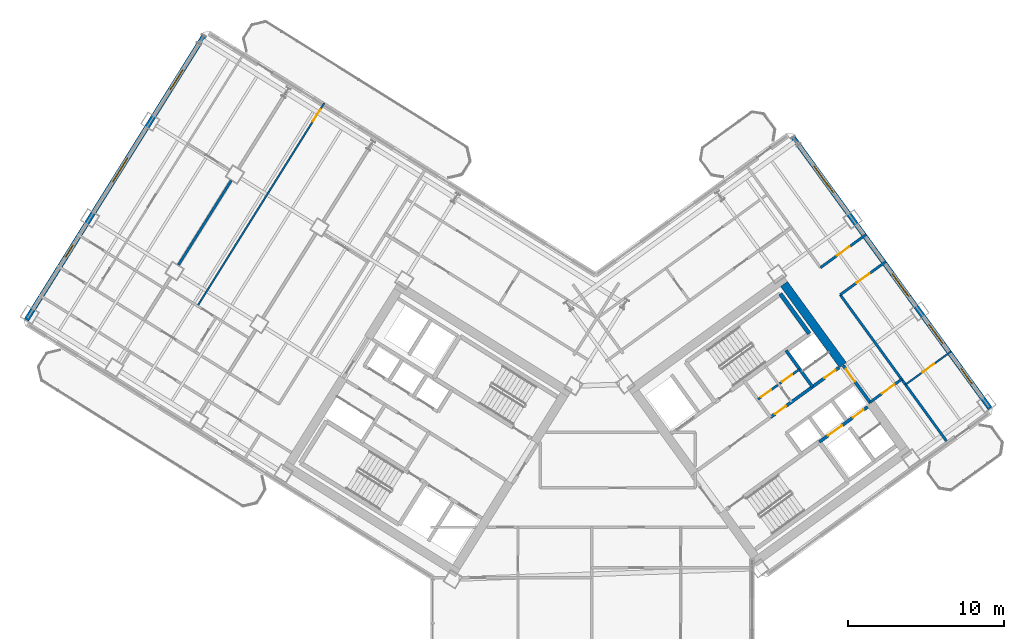
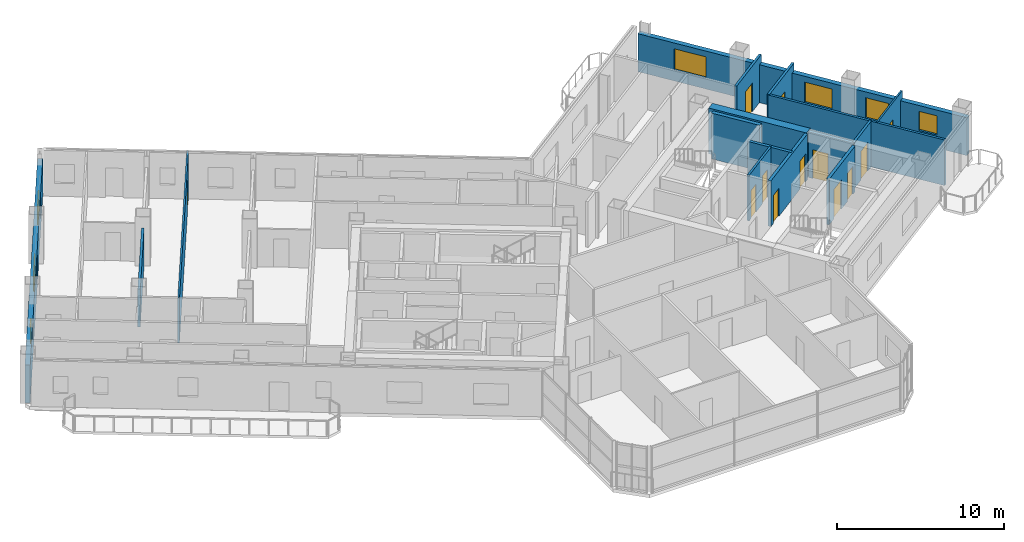
# One storey, part 15 of 21: 16 walls, 12 doors, 7 windows, 19 openings.
"""IFC4 building model written with IfcOpenShell, lengths in metres."""

import ifcopenshell
import ifcopenshell.guid

model = None  # the IFC model being written
_history = None  # IfcOwnerHistory: only IFC2X3 demands one
_inside = {}  # id of a spatial element -> (the spatial element, [elements in it])
_under = {}  # id of a project, library or spatial element -> (it, [spatial elements below it])
_declared = {}  # id of a project -> (the project, [libraries it declares])
_typed = {}  # id of a type object -> (the type object, [elements of that type])
_made_of = {}  # id of a material, layer set ... -> (it, [elements and type objects made of it])


def new_model(schema):
    """Start an empty IFC model of exactly this schema.

    Asked for "IFC4X3", IfcOpenShell would pick the latest addendum, in which some entities
    have other attributes; the version numbers below select the first issue.
    IFC2X3 requires an IfcOwnerHistory on every rooted entity: one is made here for all.
    """
    global model, _history
    if schema == "IFC4X3":
        model = ifcopenshell.file(schema_version=(4, 3, 0, 0))
    else:
        model = ifcopenshell.file(schema=schema)
    _inside.clear()
    _under.clear()
    _declared.clear()
    _typed.clear()
    _made_of.clear()
    _history = None
    if model.schema == "IFC2X3":
        org = make("IfcOrganization", Name="unknown")
        user = make(
            "IfcPersonAndOrganization",
            ThePerson=make("IfcPerson", FamilyName="unknown"),
            TheOrganization=org,
        )
        app = make(
            "IfcApplication",
            ApplicationDeveloper=org,
            Version="unknown",
            ApplicationFullName="unknown",
            ApplicationIdentifier="unknown",
        )
        _history = make(
            "IfcOwnerHistory",
            OwningUser=user,
            OwningApplication=app,
            ChangeAction="ADDED",
            CreationDate=0,
        )
    return model


def make(cls, **values):
    """One entity of the class cls with the attributes given. An attribute that is None is left unset."""
    return model.create_entity(
        cls, **{name: value for name, value in values.items() if value is not None}
    )


def rooted(cls, **values):
    """An entity with a GlobalId (a new one), such as an element, a storey or a relation."""
    return make(cls, GlobalId=ifcopenshell.guid.new(), OwnerHistory=_history, **values)


def si_unit(unit_type, name, prefix=None):
    """IfcSIUnit, for example si_unit("LENGTHUNIT", "METRE", prefix="MILLI")."""
    return make("IfcSIUnit", UnitType=unit_type, Prefix=prefix, Name=name)


def assignment(units):
    """IfcUnitAssignment: the units of a project."""
    return None if units is None else make("IfcUnitAssignment", Units=units)


def point(xyz):
    """IfcCartesianPoint."""
    return None if xyz is None else make("IfcCartesianPoint", Coordinates=xyz)


def direction(xyz):
    """IfcDirection."""
    return None if xyz is None else make("IfcDirection", DirectionRatios=xyz)


def frame(location, z_axis=None, x_axis=None):
    """IfcAxis2Placement3D, a coordinate frame: its origin and axes. An axis left out is left unset."""
    return make(
        "IfcAxis2Placement3D",
        Location=point(location),
        Axis=direction(z_axis),
        RefDirection=direction(x_axis),
    )


def frame_2d(location, x_axis=None):
    """IfcAxis2Placement2D, a coordinate frame in the plane: its origin and x axis."""
    return make(
        "IfcAxis2Placement2D", Location=point(location), RefDirection=direction(x_axis)
    )


def origin():
    """The frame at (0, 0, 0) with its axes left unset."""
    return frame((0.0, 0.0, 0.0))


def place(relative_to, where):
    """IfcLocalPlacement: puts the frame where relative to a parent placement (None: the world)."""
    return make(
        "IfcLocalPlacement", PlacementRelTo=relative_to, RelativePlacement=where
    )


def context(
    kind, dimensions, precision=None, world=None, true_north=None, identifier=None
):
    """IfcGeometricRepresentationContext, for example the 3D "Model" context."""
    return make(
        "IfcGeometricRepresentationContext",
        ContextIdentifier=identifier,
        ContextType=kind,
        CoordinateSpaceDimension=dimensions,
        Precision=precision,
        WorldCoordinateSystem=world,
        TrueNorth=true_north,
    )


def subcontext(parent, identifier, kind, view, scale=None):
    """IfcGeometricRepresentationSubContext, for example "Body" below "Model"."""
    return make(
        "IfcGeometricRepresentationSubContext",
        ContextIdentifier=identifier,
        ContextType=kind,
        ParentContext=parent,
        TargetScale=scale,
        TargetView=view,
    )


def project(units=None, contexts=None):
    """IfcProject with its units and contexts."""
    return rooted(
        "IfcProject",
        Name="project",
        RepresentationContexts=contexts,
        UnitsInContext=assignment(units),
    )


def spatial(cls, under=None, at=None, **own):
    """A site, building, storey or space (cls), placed at a placement, below another one or the project."""
    s = rooted(cls, ObjectPlacement=at, **own)
    if under is not None:
        _under.setdefault(under.id(), (under, []))[1].append(s)
    return s


def profile(cls, at=None, kind="AREA", **sizes):
    """A parametric profile (cls). Its sizes go by their IFC names, for example OverallWidth=200.0."""
    return make(cls, ProfileType=kind, Position=at, **sizes)


def rectangle(**sizes):
    """IfcRectangleProfileDef."""
    return profile("IfcRectangleProfileDef", **sizes)


def extrude(swept, where, along, depth):
    """IfcExtrudedAreaSolid: the profile swept, set in the frame where, extruded along a direction by depth."""
    return make(
        "IfcExtrudedAreaSolid",
        SweptArea=swept,
        Position=where,
        ExtrudedDirection=direction(along),
        Depth=depth,
    )


def shape(context_of_items, identifier, shape_type, items):
    """IfcShapeRepresentation: the items that make up one representation, for example the "Body"."""
    return make(
        "IfcShapeRepresentation",
        ContextOfItems=context_of_items,
        RepresentationIdentifier=identifier,
        RepresentationType=shape_type,
        Items=items,
    )


def source(mapping_origin, context_of_items, identifier, shape_type, items):
    """IfcRepresentationMap: a shape defined once, which mapped items show again and again."""
    return make(
        "IfcRepresentationMap",
        MappingOrigin=mapping_origin,
        MappedRepresentation=shape(context_of_items, identifier, shape_type, items),
    )


def transform(
    local_origin,
    x_axis=None,
    y_axis=None,
    z_axis=None,
    scale=None,
    scale2=None,
    scale3=None,
    uniform=True,
):
    """IfcCartesianTransformationOperator3D, or its non-uniform kind. x_axis, y_axis, z_axis: its Axis1, 2, 3."""
    if uniform:
        return make(
            "IfcCartesianTransformationOperator3D",
            Axis1=direction(x_axis),
            Axis2=direction(y_axis),
            LocalOrigin=point(local_origin),
            Scale=scale,
            Axis3=direction(z_axis),
        )
    return make(
        "IfcCartesianTransformationOperator3DnonUniform",
        Axis1=direction(x_axis),
        Axis2=direction(y_axis),
        LocalOrigin=point(local_origin),
        Scale=scale,
        Axis3=direction(z_axis),
        Scale2=scale2,
        Scale3=scale3,
    )


def mapped(mapping_source, mapping_target):
    """IfcMappedItem: shows the shape of a source again, moved by a transform."""
    return make(
        "IfcMappedItem", MappingSource=mapping_source, MappingTarget=mapping_target
    )


def material(Name=None, Category=None):
    """IfcMaterial."""
    return make("IfcMaterial", Name=Name, Category=Category)


def layer(
    of_material, thickness, ventilated=None, Name=None, Category=None, Priority=None
):
    """IfcMaterialLayer: one layer of a wall or slab, of a material (None: an air gap)."""
    return make(
        "IfcMaterialLayer",
        Material=of_material,
        LayerThickness=thickness,
        IsVentilated=ventilated,
        Name=Name,
        Category=Category,
        Priority=Priority,
    )


def layer_set(layers, Name=None):
    """IfcMaterialLayerSet."""
    return make("IfcMaterialLayerSet", MaterialLayers=layers, LayerSetName=Name)


def made_of(thing, what):
    """Note that an element or type object is made of a material, layer set ...; save() writes the relation."""
    if what is not None:
        _made_of.setdefault(what.id(), (what, []))[1].append(thing)
    return thing


def type_object(cls, material=None, **own):
    """A type object (cls), such as IfcWallType, which elements share."""
    return made_of(rooted(cls, **own), material)


def element(
    cls,
    number,
    at=None,
    inside=None,
    cuts=None,
    type_object=None,
    material=None,
    context=None,
    identifier="Body",
    shape_type=None,
    held_by="IfcProductDefinitionShape",
    body=None,
    shapes=None,
    **own,
):
    """One element of the class cls, such as IfcWall. Its Tag is "e" and its number.

    at: its placement. inside: the storey or other place that contains it. cuts: it is an
    opening in that element (IfcRelVoidsElement). A single representation is given by context,
    identifier, shape_type and body (its items); several are given by shapes. held_by: the class
    of the entity that holds the representations. save() writes the other relations.
    """
    e = rooted(cls, Tag="e%d" % number, ObjectPlacement=at, **own)
    if body is not None:
        shapes = [shape(context, identifier, shape_type, body)]
    if shapes is not None:
        e.Representation = make(held_by, Representations=shapes)
    if inside is not None:
        _inside.setdefault(inside.id(), (inside, []))[1].append(e)
    if cuts is not None:
        rooted(
            "IfcRelVoidsElement", RelatingBuildingElement=cuts, RelatedOpeningElement=e
        )
    if type_object is not None:
        _typed.setdefault(type_object.id(), (type_object, []))[1].append(e)
    return made_of(e, material)


def fill(opening, filler):
    """IfcRelFillsElement: the door or window that sits in an opening."""
    return rooted(
        "IfcRelFillsElement",
        RelatingOpeningElement=opening,
        RelatedBuildingElement=filler,
    )


def aggregate(whole, parts):
    """IfcRelAggregates: a whole, such as a stair, and the parts it consists of."""
    return rooted("IfcRelAggregates", RelatingObject=whole, RelatedObjects=parts)


def save(model, path):
    """Write the relations noted so far, then the file.

    IfcRelAggregates (storeys below a building ...), IfcRelContainedInSpatialStructure (elements
    in a storey), IfcRelDefinesByType, IfcRelAssociatesMaterial and IfcRelDeclares: one each for
    every whole, place, type object, material and project.
    """
    for whole, parts in _under.values():
        aggregate(whole, parts)
    for where, things in _inside.values():
        rooted(
            "IfcRelContainedInSpatialStructure",
            RelatedElements=things,
            RelatingStructure=where,
        )
    for kind, things in _typed.values():
        rooted("IfcRelDefinesByType", RelatedObjects=things, RelatingType=kind)
    for what, things in _made_of.values():
        rooted("IfcRelAssociatesMaterial", RelatedObjects=things, RelatingMaterial=what)
    for by, libraries in _declared.values():
        rooted("IfcRelDeclares", RelatingContext=by, RelatedDefinitions=libraries)
    model.write(path)


model = new_model("IFC4")

# Units and contexts
model_context = context("Model", 3, precision=1e-05, world=origin(), true_north=direction((0.0, 1.0)))
body_context = subcontext(model_context, "Body", "Model", "MODEL_VIEW")
ifc_project = project(units=[si_unit("LENGTHUNIT", "METRE"), si_unit("AREAUNIT", "SQUARE_METRE"), si_unit("VOLUMEUNIT", "CUBIC_METRE"), si_unit("PLANEANGLEUNIT", "RADIAN"), si_unit("MASSUNIT", "GRAM", prefix="KILO")], contexts=[model_context])

# Site, building, storey
site_placement = place(None, origin())
site = spatial("IfcSite", under=ifc_project, at=site_placement, CompositionType="ELEMENT")
building_placement = place(site_placement, origin())
building = spatial("IfcBuilding", under=site, at=building_placement, Name="Tlacorven Tower", CompositionType="ELEMENT")
storey_placement = place(building_placement, frame((0.0, 0.0, 105.300048828125)))
storey = spatial("IfcBuildingStorey", under=building, at=storey_placement, Name="L26", CompositionType="ELEMENT", Elevation=105.300048828125)

# Walls
ifc_material_1 = material(Name="Concrete C60/75", Category="concrete")
ifc_layer_1 = layer(ifc_material_1, 0.550048828125)
ifc_layer_set_1 = layer_set([ifc_layer_1], Name="Concrete C60/75")
wall_type_1 = type_object("IfcWallType", Name="WL-COR-550", PredefinedType="SHEAR", material=ifc_layer_set_1)
wall_1_placement = place(storey_placement, frame((58.06396484375, 25.8134765625, 0.0), z_axis=(0.0, 0.0, 1.0), x_axis=(-0.587764933797, 0.809031756236, 0.0)))
element("IfcWall", 1, at=wall_1_placement, inside=storey, type_object=wall_type_1, Name="L26 E core end wall E2.2", PredefinedType="SHEAR", context=body_context, shape_type="SweptSolid", body=[
    extrude(rectangle(XDim=6.425048828125, YDim=0.550048828125, at=frame_2d((3.21240234375, 0.0))), origin(), (0.0, 0.0, 1.0), 3.349853515625),
])
ifc_material_2 = material(Name="Gypsum plasterboard acoustic partition", Category="gypsum")
ifc_layer_2 = layer(ifc_material_2, 0.159912109375)
ifc_layer_set_2 = layer_set([ifc_layer_2], Name="Gypsum plasterboard acoustic partition")
wall_type_2 = type_object("IfcWallType", Name="WL-DEM-160", PredefinedType="PARTITIONING", material=ifc_layer_set_2)
wall_2_placement = place(storey_placement, frame((18.828125, 37.642578125, 0.0), z_axis=(0.0, 0.0, 1.0), x_axis=(-0.529930102756, -0.848041323399, 0.0)))
element("IfcWall", 2, at=wall_2_placement, inside=storey, type_object=wall_type_2, Name="L26 WS Demising Wall 2", PredefinedType="PARTITIONING", context=body_context, shape_type="SweptSolid", body=[
    extrude(rectangle(XDim=6.376220703125, YDim=0.159912109375, at=frame_2d((3.18798828125, 0.0))), origin(), (0.0, 0.0, 1.0), 2.77490234375),
])

# Wall, opening, door
wall_3_placement = place(storey_placement, frame((59.7978515625, 23.427001953125, 0.0), z_axis=(0.0, 0.0, 1.0), x_axis=(0.809034604122, 0.587761013791, 0.0)))
wall_3 = element("IfcWall", 3, at=wall_3_placement, inside=storey, type_object=wall_type_2, Name="L26 partition 90", PredefinedType="PARTITIONING", context=body_context, shape_type="SweptSolid", body=[
    extrude(rectangle(XDim=2.510009765625, YDim=0.159912109375, at=frame_2d((1.2548828125, 0.0))), origin(), (0.0, 0.0, 1.0), 3.33984375),
])
opening_1_placement = place(wall_3_placement, frame((0.949951171875, 0.0, 0.0)))
opening_1 = element("IfcOpeningElement", 4, at=opening_1_placement, cuts=wall_3, Name="Opening D11", PredefinedType="OPENING", context=body_context, shape_type="SweptSolid", body=[
    extrude(rectangle(XDim=1.0, YDim=2.10009765625, at=frame_2d((0.5, 1.050048828125))), frame((0.0, 0.08984375, 0.0), z_axis=(0.0, -1.0, 0.0), x_axis=(1.0, 0.0, 0.0)), (0.0, 0.0, 1.0), 0.179931640625),
])
ifc_material_3 = material(Name="Fire-rated steel door assembly", Category="steel")
door_type_1 = type_object("IfcDoorType", Name="DR-FLT-FD60-1000", OperationType="NOTDEFINED", PredefinedType="DOOR", material=ifc_material_3)
shared_shape_1 = source(origin(), body_context, "Body", "SweptSolid", [
    extrude(rectangle(XDim=1.0, YDim=2.10009765625, at=frame_2d((0.5, 1.050048828125))), frame((0.0, 0.02490234375, 0.0), z_axis=(0.0, -1.0, 0.0), x_axis=(1.0, 0.0, 0.0)), (0.0, 0.0, 1.0), 0.050048828125),
])
door_1_placement = place(opening_1_placement, frame((1.0, 0.0, 0.0), z_axis=(0.0, 0.0, 1.0), x_axis=(-1.0, 0.0, 0.0)))
door_1 = element("IfcDoor", 5, at=door_1_placement, inside=storey, type_object=door_type_1, Name="L26 door 055", OperationType="SINGLE_SWING_RIGHT", OverallHeight=2.10009765625, OverallWidth=1.0, PredefinedType="DOOR", context=body_context, shape_type="MappedRepresentation", body=[
    mapped(shared_shape_1, transform((0.0, 0.0, 0.0), scale=1.0)),
])
fill(opening_1, door_1)

# Wall
wall_4_placement = place(storey_placement, frame((64.708740234375, 20.93798828125, 0.0), z_axis=(0.0, 0.0, 1.0), x_axis=(-0.587781191743, 0.809019944521, 0.0)))
element("IfcWall", 6, at=wall_4_placement, inside=storey, type_object=wall_type_2, Name="L26 partition 92", PredefinedType="PARTITIONING", context=body_context, shape_type="SweptSolid", body=[
    extrude(rectangle(XDim=11.60009765625, YDim=0.159912109375, at=frame_2d((5.800048828125, 0.0))), origin(), (0.0, 0.0, 1.0), 3.33984375),
])

# Wall, opening, door
wall_5_placement = place(storey_placement, frame((57.890380859375, 30.32275390625, 0.0), z_axis=(0.0, 0.0, 1.0), x_axis=(0.809035546126, 0.58775971715, 0.0)))
wall_5 = element("IfcWall", 7, at=wall_5_placement, inside=storey, type_object=wall_type_2, Name="L26 partition 95", PredefinedType="PARTITIONING", context=body_context, shape_type="SweptSolid", body=[
    extrude(rectangle(XDim=3.6298828125, YDim=0.159912109375, at=frame_2d((1.81494140625, 0.0))), origin(), (0.0, 0.0, 1.0), 3.33984375),
])
opening_2_placement = place(wall_5_placement, frame((1.304931640625, 0.0, 0.0)))
opening_2 = element("IfcOpeningElement", 8, at=opening_2_placement, cuts=wall_5, Name="Opening D11", PredefinedType="OPENING", context=body_context, shape_type="SweptSolid", body=[
    extrude(rectangle(XDim=1.0, YDim=2.10009765625, at=frame_2d((0.5, 1.050048828125))), frame((0.0, 0.08984375, 0.0), z_axis=(0.0, -1.0, 0.0), x_axis=(1.0, 0.0, 0.0)), (0.0, 0.0, 1.0), 0.179931640625),
])
door_2_placement = place(opening_2_placement, origin())
door_2 = element("IfcDoor", 9, at=door_2_placement, inside=storey, type_object=door_type_1, Name="L26 door 058", OperationType="SINGLE_SWING_LEFT", OverallHeight=2.10009765625, OverallWidth=1.0, PredefinedType="DOOR", context=body_context, shape_type="MappedRepresentation", body=[
    mapped(shared_shape_1, transform((0.0, 0.0, 0.0), scale=1.0)),
])
fill(opening_2, door_2)

wall_6_placement = place(storey_placement, frame((56.626708984375, 32.06201171875, 0.0), z_axis=(0.0, 0.0, 1.0), x_axis=(0.809003564202, 0.587803736896, 0.0)))
wall_6 = element("IfcWall", 10, at=wall_6_placement, inside=storey, type_object=wall_type_2, Name="L26 partition 96", PredefinedType="PARTITIONING", context=body_context, shape_type="SweptSolid", body=[
    extrude(rectangle(XDim=3.630126953125, YDim=0.159912109375, at=frame_2d((1.81494140625, 0.0))), origin(), (0.0, 0.0, 1.0), 3.33984375),
])
opening_3_placement = place(wall_6_placement, frame((1.304931640625, 0.0, 0.0)))
opening_3 = element("IfcOpeningElement", 11, at=opening_3_placement, cuts=wall_6, Name="Opening D11", PredefinedType="OPENING", context=body_context, shape_type="SweptSolid", body=[
    extrude(rectangle(XDim=1.0, YDim=2.10009765625, at=frame_2d((0.5, 1.050048828125))), frame((0.0, 0.08984375, 0.0), z_axis=(0.0, -1.0, 0.0), x_axis=(1.0, 0.0, 0.0)), (0.0, 0.0, 1.0), 0.179931640625),
])
door_3_placement = place(opening_3_placement, origin())
door_3 = element("IfcDoor", 12, at=door_3_placement, inside=storey, type_object=door_type_1, Name="L26 door 057", OperationType="SINGLE_SWING_RIGHT", OverallHeight=2.10009765625, OverallWidth=1.0, PredefinedType="DOOR", context=body_context, shape_type="MappedRepresentation", body=[
    mapped(shared_shape_1, transform((0.0, 0.0, 0.0), scale=1.0)),
])
fill(opening_3, door_3)

# Wall, openings, windows
ifc_material_4 = material(Name="Precast concrete C45/55", Category="concrete")
ifc_layer_3 = layer(ifc_material_4, 0.320068359375)
ifc_layer_set_3 = layer_set([ifc_layer_3], Name="Precast concrete C45/55")
wall_type_3 = type_object("IfcWallType", Name="WL-EXT-320", PredefinedType="STANDARD", material=ifc_layer_set_3)
wall_7_placement = place(storey_placement, frame((5.699951171875, 28.71044921875, 0.0), z_axis=(0.0, 0.0, 1.0), x_axis=(0.529923711467, 0.8480453172, 0.0)))
wall_7 = element("IfcWall", 13, at=wall_7_placement, inside=storey, type_object=wall_type_3, Name="L26 Masonry-Frame Recessed Facade Wall 2", PredefinedType="STANDARD", context=body_context, shape_type="SweptSolid", body=[
    extrude(rectangle(XDim=21.58740234375, YDim=0.320068359375, at=frame_2d((10.793701171875, 0.0))), origin(), (0.0, 0.0, 1.0), 2.77490234375),
])
opening_4_placement = place(wall_7_placement, frame((4.748779296875, 0.0, 1.0)))
opening_4 = element("IfcOpeningElement", 14, at=opening_4_placement, cuts=wall_7, Name="Opening WN05", PredefinedType="OPENING", context=body_context, shape_type="SweptSolid", body=[
    extrude(rectangle(XDim=0.89990234375, YDim=1.25, at=frame_2d((0.449951171875, 0.625))), frame((0.0, 0.169921875, 0.0), z_axis=(0.0, -1.0, 0.0), x_axis=(1.0, 0.0, 0.0)), (0.0, 0.0, 1.0), 0.340087890625),
])
opening_5_placement = place(wall_7_placement, frame((10.443603515625, 0.0, 0.85009765625)))
opening_5 = element("IfcOpeningElement", 15, at=opening_5_placement, cuts=wall_7, Name="Opening WN01", PredefinedType="OPENING", context=body_context, shape_type="SweptSolid", body=[
    extrude(rectangle(XDim=1.800048828125, YDim=1.5, at=frame_2d((0.89990234375, 0.75))), frame((0.0, 0.169921875, 0.0), z_axis=(0.0, -1.0, 0.0), x_axis=(1.0, 0.0, 0.0)), (0.0, 0.0, 1.0), 0.340087890625),
])
opening_6_placement = place(wall_7_placement, frame((17.40625, 0.0, 0.85009765625)))
opening_6 = element("IfcOpeningElement", 16, at=opening_6_placement, cuts=wall_7, Name="Opening WN02", PredefinedType="OPENING", context=body_context, shape_type="SweptSolid", body=[
    extrude(rectangle(XDim=1.5, YDim=1.5, at=frame_2d((0.75, 0.75))), frame((0.0, 0.169921875, 0.0), z_axis=(0.0, -1.0, 0.0), x_axis=(1.0, 0.0, 0.0)), (0.0, 0.0, 1.0), 0.340087890625),
])
ifc_material_5 = material(Name="Dark solar low-E double glazing in anodised aluminium frame", Category="aluminium")
window_type_1 = type_object("IfcWindowType", Name="WN-APT-1800X1650", PartitioningType="SINGLE_PANEL", PredefinedType="WINDOW", material=ifc_material_5)
shared_shape_2 = source(origin(), body_context, "Body", "SweptSolid", [
    extrude(rectangle(XDim=1.800048828125, YDim=1.5, at=frame_2d((0.89990234375, 0.75))), frame((0.0, 0.030029296875, 0.0), z_axis=(0.0, -1.0, 0.0), x_axis=(1.0, 0.0, 0.0)), (0.0, 0.0, 1.0), 0.06005859375),
])
window_1_placement = place(opening_5_placement, origin())
window_1 = element("IfcWindow", 17, at=window_1_placement, inside=storey, type_object=window_type_1, Name="L26 Recessed Masonry-Frame Window L26-02.2", OverallHeight=1.5, OverallWidth=1.800048828125, PartitioningType="SINGLE_PANEL", PredefinedType="WINDOW", context=body_context, shape_type="MappedRepresentation", body=[
    mapped(shared_shape_2, transform((0.0, 0.0, 0.0), scale=1.0)),
])
fill(opening_5, window_1)
window_type_2 = type_object("IfcWindowType", Name="WN-APT-1500X1650", PartitioningType="SINGLE_PANEL", PredefinedType="WINDOW", material=ifc_material_5)
shared_shape_3 = source(origin(), body_context, "Body", "SweptSolid", [
    extrude(rectangle(XDim=1.5, YDim=1.5, at=frame_2d((0.75, 0.75))), frame((0.0, 0.030029296875, 0.0), z_axis=(0.0, -1.0, 0.0), x_axis=(1.0, 0.0, 0.0)), (0.0, 0.0, 1.0), 0.06005859375),
])
window_2_placement = place(opening_6_placement, origin())
window_2 = element("IfcWindow", 18, at=window_2_placement, inside=storey, type_object=window_type_2, Name="L26 Recessed Masonry-Frame Window L26-02.3", OverallHeight=1.5, OverallWidth=1.5, PartitioningType="SINGLE_PANEL", PredefinedType="WINDOW", context=body_context, shape_type="MappedRepresentation", body=[
    mapped(shared_shape_3, transform((0.0, 0.0, 0.0), scale=1.0)),
])
fill(opening_6, window_2)
window_type_3 = type_object("IfcWindowType", Name="WN-APT-0900X1350", PartitioningType="SINGLE_PANEL", PredefinedType="WINDOW", material=ifc_material_5)
shared_shape_4 = source(origin(), body_context, "Body", "SweptSolid", [
    extrude(rectangle(XDim=0.89990234375, YDim=1.25, at=frame_2d((0.449951171875, 0.625))), frame((0.0, 0.030029296875, 0.0), z_axis=(0.0, -1.0, 0.0), x_axis=(1.0, 0.0, 0.0)), (0.0, 0.0, 1.0), 0.06005859375),
])
window_3_placement = place(opening_4_placement, origin())
window_3 = element("IfcWindow", 19, at=window_3_placement, inside=storey, type_object=window_type_3, Name="L26 Recessed Masonry-Frame Window L26-02.1", OverallHeight=1.25, OverallWidth=0.89990234375, PartitioningType="SINGLE_PANEL", PredefinedType="WINDOW", context=body_context, shape_type="MappedRepresentation", body=[
    mapped(shared_shape_4, transform((0.0, 0.0, 0.0), scale=1.0)),
])
fill(opening_4, window_3)

wall_8_placement = place(storey_placement, frame((54.810302734375, 40.49951171875, 0.0), z_axis=(0.0, 0.0, 1.0), x_axis=(0.587783625747, -0.809018176127, 0.0)))
wall_8 = element("IfcWall", 20, at=wall_8_placement, inside=storey, type_object=wall_type_3, Name="L26 Masonry-Frame Recessed Facade Wall 5", PredefinedType="STANDARD", context=body_context, shape_type="SweptSolid", body=[
    extrude(rectangle(XDim=21.58740234375, YDim=0.320068359375, at=frame_2d((10.793701171875, 0.0))), origin(), (0.0, 0.0, 1.0), 2.77490234375),
])
opening_7_placement = place(wall_8_placement, frame((2.381103515625, 0.0, 0.800048828125)))
opening_7 = element("IfcOpeningElement", 21, at=opening_7_placement, cuts=wall_8, Name="Opening WN04", PredefinedType="OPENING", context=body_context, shape_type="SweptSolid", body=[
    extrude(rectangle(XDim=2.10009765625, YDim=1.550048828125, at=frame_2d((1.050048828125, 0.77490234375))), frame((0.0, 0.169921875, 0.0), z_axis=(0.0, -1.0, 0.0), x_axis=(1.0, 0.0, 0.0)), (0.0, 0.0, 1.0), 0.340087890625),
])
opening_8_placement = place(wall_8_placement, frame((10.93359375, 0.0, 0.85009765625)))
opening_8 = element("IfcOpeningElement", 22, at=opening_8_placement, cuts=wall_8, Name="Opening WN01", PredefinedType="OPENING", context=body_context, shape_type="SweptSolid", body=[
    extrude(rectangle(XDim=1.800048828125, YDim=1.5, at=frame_2d((0.89990234375, 0.75))), frame((0.0, 0.169921875, 0.0), z_axis=(0.0, -1.0, 0.0), x_axis=(1.0, 0.0, 0.0)), (0.0, 0.0, 1.0), 0.340087890625),
])
opening_9_placement = place(wall_8_placement, frame((14.92724609375, 0.0, 0.85009765625)))
opening_9 = element("IfcOpeningElement", 23, at=opening_9_placement, cuts=wall_8, Name="Opening WN02", PredefinedType="OPENING", context=body_context, shape_type="SweptSolid", body=[
    extrude(rectangle(XDim=1.5, YDim=1.5, at=frame_2d((0.75, 0.75))), frame((0.0, 0.169921875, 0.0), z_axis=(0.0, -1.0, 0.0), x_axis=(1.0, 0.0, 0.0)), (0.0, 0.0, 1.0), 0.340087890625),
])
opening_10_placement = place(wall_8_placement, frame((18.43212890625, 0.0, 0.949951171875)))
opening_10 = element("IfcOpeningElement", 24, at=opening_10_placement, cuts=wall_8, Name="Opening WN03", PredefinedType="OPENING", context=body_context, shape_type="SweptSolid", body=[
    extrude(rectangle(XDim=1.199951171875, YDim=1.39990234375, at=frame_2d((0.60009765625, 0.699951171875))), frame((0.0, 0.169921875, 0.0), z_axis=(0.0, -1.0, 0.0), x_axis=(1.0, 0.0, 0.0)), (0.0, 0.0, 1.0), 0.340087890625),
])
window_type_4 = type_object("IfcWindowType", Name="WN-APT-2100X1750", PartitioningType="SINGLE_PANEL", PredefinedType="WINDOW", material=ifc_material_5)
shared_shape_5 = source(origin(), body_context, "Body", "SweptSolid", [
    extrude(rectangle(XDim=2.10009765625, YDim=1.550048828125, at=frame_2d((1.050048828125, 0.77490234375))), frame((0.0, 0.030029296875, 0.0), z_axis=(0.0, -1.0, 0.0), x_axis=(1.0, 0.0, 0.0)), (0.0, 0.0, 1.0), 0.06005859375),
])
window_4_placement = place(opening_7_placement, origin())
window_4 = element("IfcWindow", 25, at=window_4_placement, inside=storey, type_object=window_type_4, Name="L26 Recessed Masonry-Frame Window L26-05.1", OverallHeight=1.550048828125, OverallWidth=2.10009765625, PartitioningType="SINGLE_PANEL", PredefinedType="WINDOW", context=body_context, shape_type="MappedRepresentation", body=[
    mapped(shared_shape_5, transform((0.0, 0.0, 0.0), scale=1.0)),
])
fill(opening_7, window_4)
window_type_5 = type_object("IfcWindowType", Name="WN-APT-1200X1500", PartitioningType="SINGLE_PANEL", PredefinedType="WINDOW", material=ifc_material_5)
shared_shape_6 = source(origin(), body_context, "Body", "SweptSolid", [
    extrude(rectangle(XDim=1.199951171875, YDim=1.39990234375, at=frame_2d((0.60009765625, 0.699951171875))), frame((0.0, 0.030029296875, 0.0), z_axis=(0.0, -1.0, 0.0), x_axis=(1.0, 0.0, 0.0)), (0.0, 0.0, 1.0), 0.06005859375),
])
window_5_placement = place(opening_10_placement, origin())
window_5 = element("IfcWindow", 26, at=window_5_placement, inside=storey, type_object=window_type_5, Name="L26 Recessed Masonry-Frame Window L26-05.4", OverallHeight=1.39990234375, OverallWidth=1.199951171875, PartitioningType="SINGLE_PANEL", PredefinedType="WINDOW", context=body_context, shape_type="MappedRepresentation", body=[
    mapped(shared_shape_6, transform((0.0, 0.0, 0.0), scale=1.0)),
])
fill(opening_10, window_5)
window_6_placement = place(opening_8_placement, origin())
window_6 = element("IfcWindow", 27, at=window_6_placement, inside=storey, type_object=window_type_1, Name="L26 Recessed Masonry-Frame Window L26-05.2", OverallHeight=1.5, OverallWidth=1.800048828125, PartitioningType="SINGLE_PANEL", PredefinedType="WINDOW", context=body_context, shape_type="MappedRepresentation", body=[
    mapped(shared_shape_2, transform((0.0, 0.0, 0.0), scale=1.0)),
])
fill(opening_8, window_6)
window_7_placement = place(opening_9_placement, origin())
window_7 = element("IfcWindow", 28, at=window_7_placement, inside=storey, type_object=window_type_2, Name="L26 Recessed Masonry-Frame Window L26-05.3", OverallHeight=1.5, OverallWidth=1.5, PartitioningType="SINGLE_PANEL", PredefinedType="WINDOW", context=body_context, shape_type="MappedRepresentation", body=[
    mapped(shared_shape_3, transform((0.0, 0.0, 0.0), scale=1.0)),
])
fill(opening_9, window_7)

# Wall, opening, door
ifc_material_6 = material(Name="Gypsum plasterboard partition", Category="gypsum")
ifc_layer_4 = layer(ifc_material_6, 0.110107421875)
ifc_layer_set_4 = layer_set([ifc_layer_4], Name="Gypsum plasterboard partition")
wall_type_4 = type_object("IfcWallType", Name="WL-INT-110", PredefinedType="PARTITIONING", material=ifc_layer_set_4)
wall_9_placement = place(storey_placement, frame((24.802490234375, 42.614013671875, 0.0), z_axis=(0.0, 0.0, 1.0), x_axis=(-0.529928839727, -0.848042112649, 0.0)))
wall_9 = element("IfcWall", 29, at=wall_9_placement, inside=storey, type_object=wall_type_4, Name="L26 partition 63", PredefinedType="PARTITIONING", context=body_context, shape_type="SweptSolid", body=[
    extrude(rectangle(XDim=15.340087890625, YDim=0.110107421875, at=frame_2d((7.669921875, 0.0))), origin(), (0.0, 0.0, 1.0), 3.33984375),
])
opening_11_placement = place(wall_9_placement, frame((0.469970703125, 0.0, 0.0)))
opening_11 = element("IfcOpeningElement", 30, at=opening_11_placement, cuts=wall_9, Name="Opening D12", PredefinedType="OPENING", context=body_context, shape_type="SweptSolid", body=[
    extrude(rectangle(XDim=0.919921875, YDim=2.080078125, at=frame_2d((0.4599609375, 1.0400390625))), frame((0.0, 0.06494140625, 0.0), z_axis=(0.0, -1.0, 0.0), x_axis=(1.0, 0.0, 0.0)), (0.0, 0.0, 1.0), 0.130126953125),
])
ifc_material_7 = material(Name="Powder-coated aluminium and timber door", Category="wood")
door_type_2 = type_object("IfcDoorType", Name="DR-INT-ROOM-0920", OperationType="NOTDEFINED", PredefinedType="DOOR", material=ifc_material_7)
shared_shape_7 = source(origin(), body_context, "Body", "SweptSolid", [
    extrude(rectangle(XDim=0.919921875, YDim=2.080078125, at=frame_2d((0.4599609375, 1.0400390625))), frame((0.0, 0.02490234375, 0.0), z_axis=(0.0, -1.0, 0.0), x_axis=(1.0, 0.0, 0.0)), (0.0, 0.0, 1.0), 0.050048828125),
])
door_4_placement = place(opening_11_placement, origin())
door_4 = element("IfcDoor", 31, at=door_4_placement, inside=storey, type_object=door_type_2, Name="L26 door 029", OperationType="SINGLE_SWING_RIGHT", OverallHeight=2.080078125, OverallWidth=0.919921875, PredefinedType="DOOR", context=body_context, shape_type="MappedRepresentation", body=[
    mapped(shared_shape_7, transform((0.0, 0.0, 0.0), scale=1.0)),
])
fill(opening_11, door_4)

wall_10_placement = place(storey_placement, frame((62.07666015625, 24.560791015625, 0.0), z_axis=(0.0, 0.0, 1.0), x_axis=(0.809005039917, 0.58780170584, 0.0)))
wall_10 = element("IfcWall", 32, at=wall_10_placement, inside=storey, type_object=wall_type_4, Name="L26 partition 97", PredefinedType="PARTITIONING", context=body_context, shape_type="SweptSolid", body=[
    extrude(rectangle(XDim=3.610107421875, YDim=0.110107421875, at=frame_2d((1.80517578125, 0.0))), origin(), (0.0, 0.0, 1.0), 3.33984375),
])
opening_12_placement = place(wall_10_placement, frame((1.344970703125, 0.0, 0.0)))
opening_12 = element("IfcOpeningElement", 33, at=opening_12_placement, cuts=wall_10, Name="Opening D12", PredefinedType="OPENING", context=body_context, shape_type="SweptSolid", body=[
    extrude(rectangle(XDim=0.919921875, YDim=2.080078125, at=frame_2d((0.4599609375, 1.0400390625))), frame((0.0, 0.06494140625, 0.0), z_axis=(0.0, -1.0, 0.0), x_axis=(1.0, 0.0, 0.0)), (0.0, 0.0, 1.0), 0.130126953125),
])
door_5_placement = place(opening_12_placement, origin())
door_5 = element("IfcDoor", 34, at=door_5_placement, inside=storey, type_object=door_type_2, Name="L26 door 059", OperationType="SINGLE_SWING_RIGHT", OverallHeight=2.080078125, OverallWidth=0.919921875, PredefinedType="DOOR", context=body_context, shape_type="MappedRepresentation", body=[
    mapped(shared_shape_7, transform((0.0, 0.0, 0.0), scale=1.0)),
])
fill(opening_12, door_5)

# Wall, openings, doors
ifc_material_8 = material(Name="Moisture-resistant gypsum plumbing wall", Category="gypsum")
ifc_layer_5 = layer(ifc_material_8, 0.139892578125)
ifc_layer_set_5 = layer_set([ifc_layer_5], Name="Moisture-resistant gypsum plumbing wall")
wall_type_5 = type_object("IfcWallType", Name="WL-PLM-140", PredefinedType="PLUMBINGWALL", material=ifc_layer_set_5)
wall_11_placement = place(storey_placement, frame((52.617919921875, 23.612060546875, 0.0), z_axis=(0.0, 0.0, 1.0), x_axis=(0.809009587469, 0.587795446889, 0.0)))
wall_11 = element("IfcWall", 35, at=wall_11_placement, inside=storey, type_object=wall_type_5, Name="L26 partition 48", PredefinedType="PLUMBINGWALL", context=body_context, shape_type="SweptSolid", body=[
    extrude(rectangle(XDim=3.280029296875, YDim=0.139892578125, at=frame_2d((1.64013671875, 0.0))), origin(), (0.0, 0.0, 1.0), 3.33984375),
])
opening_13_placement = place(wall_11_placement, frame((0.25, 0.0, 0.0)))
opening_13 = element("IfcOpeningElement", 36, at=opening_13_placement, cuts=wall_11, Name="Opening D22", PredefinedType="OPENING", context=body_context, shape_type="SweptSolid", body=[
    extrude(rectangle(XDim=0.780029296875, YDim=2.050048828125, at=frame_2d((0.39013671875, 1.02490234375))), frame((0.0, 0.080078125, 0.0), z_axis=(0.0, -1.0, 0.0), x_axis=(1.0, 0.0, 0.0)), (0.0, 0.0, 1.0), 0.159912109375),
])
opening_14_placement = place(wall_11_placement, frame((1.919921875, 0.0, 0.0)))
opening_14 = element("IfcOpeningElement", 37, at=opening_14_placement, cuts=wall_11, Name="Opening D22", PredefinedType="OPENING", context=body_context, shape_type="SweptSolid", body=[
    extrude(rectangle(XDim=0.780029296875, YDim=2.050048828125, at=frame_2d((0.39013671875, 1.02490234375))), frame((0.0, 0.080078125, 0.0), z_axis=(0.0, -1.0, 0.0), x_axis=(1.0, 0.0, 0.0)), (0.0, 0.0, 1.0), 0.159912109375),
])
door_type_3 = type_object("IfcDoorType", Name="DR-INT-WET-0780", OperationType="NOTDEFINED", PredefinedType="DOOR", material=ifc_material_7)
shared_shape_8 = source(origin(), body_context, "Body", "SweptSolid", [
    extrude(rectangle(XDim=0.780029296875, YDim=2.050048828125, at=frame_2d((0.39013671875, 1.02490234375))), frame((0.0, 0.02490234375, 0.0), z_axis=(0.0, -1.0, 0.0), x_axis=(1.0, 0.0, 0.0)), (0.0, 0.0, 1.0), 0.050048828125),
])
door_6_placement = place(opening_13_placement, origin())
door_6 = element("IfcDoor", 38, at=door_6_placement, inside=storey, type_object=door_type_3, Name="L26 door 021", OperationType="SINGLE_SWING_LEFT", OverallHeight=2.050048828125, OverallWidth=0.780029296875, PredefinedType="DOOR", context=body_context, shape_type="MappedRepresentation", body=[
    mapped(shared_shape_8, transform((0.0, 0.0, 0.0), scale=1.0)),
])
fill(opening_13, door_6)
door_7_placement = place(opening_14_placement, origin())
door_7 = element("IfcDoor", 39, at=door_7_placement, inside=storey, type_object=door_type_3, Name="L26 door 022", OperationType="SINGLE_SWING_RIGHT", OverallHeight=2.050048828125, OverallWidth=0.780029296875, PredefinedType="DOOR", context=body_context, shape_type="MappedRepresentation", body=[
    mapped(shared_shape_8, transform((0.0, 0.0, 0.0), scale=1.0)),
])
fill(opening_14, door_7)

ifc_material_9 = material(Name="Concrete C40/50", Category="concrete")
ifc_layer_6 = layer(ifc_material_9, 0.199951171875)
ifc_layer_set_6 = layer_set([ifc_layer_6], Name="Concrete C40/50")
wall_type_6 = type_object("IfcWallType", Name="WL-SHF-200", PredefinedType="STANDARD", material=ifc_layer_set_6)
wall_12_placement = place(storey_placement, frame((56.552978515625, 20.884033203125, 0.0), z_axis=(0.0, 0.0, 1.0), x_axis=(0.809023564264, 0.58777620951, 0.0)))
wall_12 = element("IfcWall", 40, at=wall_12_placement, inside=storey, type_object=wall_type_6, Name="L26 Core E South Lift Shaft Wall", PredefinedType="STANDARD", context=body_context, shape_type="SweptSolid", body=[
    extrude(rectangle(XDim=3.818115234375, YDim=0.199951171875, at=frame_2d((1.9091796875, 0.0))), origin(), (0.0, 0.0, 1.0), 3.33984375),
])
opening_15_placement = place(wall_12_placement, frame((0.68994140625, 0.0, 0.0)))
opening_15 = element("IfcOpeningElement", 41, at=opening_15_placement, cuts=wall_12, Name="Opening LD01", PredefinedType="OPENING", context=body_context, shape_type="SweptSolid", body=[
    extrude(rectangle(XDim=1.10009765625, YDim=2.14990234375, at=frame_2d((0.550048828125, 1.074951171875))), frame((0.0, 0.10986328125, 0.0), z_axis=(0.0, -1.0, 0.0), x_axis=(1.0, 0.0, 0.0)), (0.0, 0.0, 1.0), 0.219970703125),
])
opening_16_placement = place(wall_12_placement, frame((2.64990234375, 0.0, 0.0)))
opening_16 = element("IfcOpeningElement", 42, at=opening_16_placement, cuts=wall_12, Name="Opening D19", PredefinedType="OPENING", context=body_context, shape_type="SweptSolid", body=[
    extrude(rectangle(XDim=0.860107421875, YDim=2.050048828125, at=frame_2d((0.43017578125, 1.02490234375))), frame((0.0, 0.10986328125, 0.0), z_axis=(0.0, -1.0, 0.0), x_axis=(1.0, 0.0, 0.0)), (0.0, 0.0, 1.0), 0.219970703125),
])
door_type_4 = type_object("IfcDoorType", Name="DR-RSR-FD60-0860", OperationType="NOTDEFINED", PredefinedType="DOOR", material=ifc_material_3)
shared_shape_9 = source(origin(), body_context, "Body", "SweptSolid", [
    extrude(rectangle(XDim=0.860107421875, YDim=2.050048828125, at=frame_2d((0.43017578125, 1.02490234375))), frame((0.0, 0.02490234375, 0.0), z_axis=(0.0, -1.0, 0.0), x_axis=(1.0, 0.0, 0.0)), (0.0, 0.0, 1.0), 0.050048828125),
])
door_8_placement = place(opening_16_placement, origin())
door_8 = element("IfcDoor", 43, at=door_8_placement, inside=storey, type_object=door_type_4, Name="L26 Smoke Extract Riser Access Door", OperationType="SINGLE_SWING_LEFT", OverallHeight=2.050048828125, OverallWidth=0.860107421875, PredefinedType="DOOR", context=body_context, shape_type="MappedRepresentation", body=[
    mapped(shared_shape_9, transform((0.0, 0.0, 0.0), scale=1.0)),
])
fill(opening_16, door_8)
door_type_5 = type_object("IfcDoorType", Name="DR-LFT-SLID-1100", OperationType="DOUBLE_DOOR_SLIDING", PredefinedType="DOOR", material=ifc_material_3)
shared_shape_10 = source(origin(), body_context, "Body", "SweptSolid", [
    extrude(rectangle(XDim=1.10009765625, YDim=2.14990234375, at=frame_2d((0.550048828125, 1.074951171875))), frame((0.0, 0.02490234375, 0.0), z_axis=(0.0, -1.0, 0.0), x_axis=(1.0, 0.0, 0.0)), (0.0, 0.0, 1.0), 0.050048828125),
])
door_9_placement = place(opening_15_placement, origin())
door_9 = element("IfcDoor", 44, at=door_9_placement, inside=storey, type_object=door_type_5, Name="L26 Lift PL-M4 Sliding Landing Door", OperationType="DOUBLE_DOOR_SLIDING", OverallHeight=2.14990234375, OverallWidth=1.10009765625, PredefinedType="DOOR", context=body_context, shape_type="MappedRepresentation", body=[
    mapped(shared_shape_10, transform((0.0, 0.0, 0.0), scale=1.0)),
])
fill(opening_15, door_9)

# Wall
wall_13_placement = place(storey_placement, frame((56.110595703125, 24.4189453125, 0.0), z_axis=(0.0, 0.0, 1.0), x_axis=(-0.58777848983, 0.809021907548, 0.0)))
element("IfcWall", 45, at=wall_13_placement, inside=storey, type_object=wall_type_6, Name="L26 partition 44", PredefinedType="STANDARD", context=body_context, shape_type="SweptSolid", body=[
    extrude(rectangle(XDim=2.880126953125, YDim=0.199951171875, at=frame_2d((1.43994140625, 0.0))), origin(), (0.0, 0.0, 1.0), 3.33984375),
])

# Wall, openings, doors
wall_14_placement = place(storey_placement, frame((53.424560546875, 22.467529296875, 0.0), z_axis=(0.0, 0.0, 1.0), x_axis=(0.809024377198, 0.587775090574, 0.0)))
wall_14 = element("IfcWall", 46, at=wall_14_placement, inside=storey, type_object=wall_type_6, Name="L26 Core E North Service Wall", PredefinedType="STANDARD", context=body_context, shape_type="SweptSolid", body=[
    extrude(rectangle(XDim=5.41796875, YDim=0.199951171875, at=frame_2d((2.708984375, 0.0))), origin(), (0.0, 0.0, 1.0), 3.33984375),
])
opening_17_placement = place(wall_14_placement, frame((4.280029296875, 0.0, 0.0)))
opening_17 = element("IfcOpeningElement", 47, at=opening_17_placement, cuts=wall_14, Name="Opening D19", PredefinedType="OPENING", context=body_context, shape_type="SweptSolid", body=[
    extrude(rectangle(XDim=0.860107421875, YDim=2.050048828125, at=frame_2d((0.43017578125, 1.02490234375))), frame((0.0, 0.10986328125, 0.0), z_axis=(0.0, -1.0, 0.0), x_axis=(1.0, 0.0, 0.0)), (0.0, 0.0, 1.0), 0.219970703125),
])
opening_18_placement = place(wall_14_placement, frame((0.35009765625, 0.0, 0.0)))
opening_18 = element("IfcOpeningElement", 48, at=opening_18_placement, cuts=wall_14, Name="Opening D19", PredefinedType="OPENING", context=body_context, shape_type="SweptSolid", body=[
    extrude(rectangle(XDim=0.860107421875, YDim=2.050048828125, at=frame_2d((0.43017578125, 1.02490234375))), frame((0.0, 0.10986328125, 0.0), z_axis=(0.0, -1.0, 0.0), x_axis=(1.0, 0.0, 0.0)), (0.0, 0.0, 1.0), 0.219970703125),
])
door_10_placement = place(opening_17_placement, frame((0.860107421875, 0.0, 0.0), z_axis=(0.0, 0.0, 1.0), x_axis=(-1.0, 0.0, 0.0)))
door_10 = element("IfcDoor", 49, at=door_10_placement, inside=storey, type_object=door_type_4, Name="L26 Electrical Riser Access Door E", OperationType="SINGLE_SWING_RIGHT", OverallHeight=2.050048828125, OverallWidth=0.860107421875, PredefinedType="DOOR", context=body_context, shape_type="MappedRepresentation", body=[
    mapped(shared_shape_9, transform((0.0, 0.0, 0.0), scale=1.0)),
])
fill(opening_17, door_10)
door_11_placement = place(opening_18_placement, frame((0.860107421875, 0.0, 0.0), z_axis=(0.0, 0.0, 1.0), x_axis=(-1.0, 0.0, 0.0)))
door_11 = element("IfcDoor", 50, at=door_11_placement, inside=storey, type_object=door_type_4, Name="L26 Cleaning Room Access Door E", OperationType="SINGLE_SWING_LEFT", OverallHeight=2.050048828125, OverallWidth=0.860107421875, PredefinedType="DOOR", context=body_context, shape_type="MappedRepresentation", body=[
    mapped(shared_shape_9, transform((0.0, 0.0, 0.0), scale=1.0)),
])
fill(opening_18, door_11)

# Wall, opening, door
wall_15_placement = place(storey_placement, frame((59.827392578125, 23.386474609375, 0.0), z_axis=(0.0, 0.0, 1.0), x_axis=(-0.587803840107, 0.809003489211, 0.0)))
wall_15 = element("IfcWall", 51, at=wall_15_placement, inside=storey, type_object=wall_type_6, Name="L26 partition 89", PredefinedType="STANDARD", context=body_context, shape_type="SweptSolid", body=[
    extrude(rectangle(XDim=2.960205078125, YDim=0.199951171875, at=frame_2d((1.47998046875, 0.0))), origin(), (0.0, 0.0, 1.0), 3.33984375),
])
opening_19_placement = place(wall_15_placement, frame((1.679931640625, 0.0, 0.0)))
opening_19 = element("IfcOpeningElement", 52, at=opening_19_placement, cuts=wall_15, Name="Opening D11", PredefinedType="OPENING", context=body_context, shape_type="SweptSolid", body=[
    extrude(rectangle(XDim=1.0, YDim=2.10009765625, at=frame_2d((0.5, 1.050048828125))), frame((0.0, 0.10986328125, 0.0), z_axis=(0.0, -1.0, 0.0), x_axis=(1.0, 0.0, 0.0)), (0.0, 0.0, 1.0), 0.219970703125),
])
door_12_placement = place(opening_19_placement, origin())
door_12 = element("IfcDoor", 53, at=door_12_placement, inside=storey, type_object=door_type_1, Name="L26 door 056", OperationType="SINGLE_SWING_LEFT", OverallHeight=2.10009765625, OverallWidth=1.0, PredefinedType="DOOR", context=body_context, shape_type="MappedRepresentation", body=[
    mapped(shared_shape_1, transform((0.0, 0.0, 0.0), scale=1.0)),
])
fill(opening_19, door_12)

# Wall
ifc_material_10 = material(Name="Concrete C50/60", Category="concrete")
ifc_layer_7 = layer(ifc_material_10, 0.260009765625)
ifc_layer_set_7 = layer_set([ifc_layer_7], Name="Concrete C50/60")
wall_type_7 = type_object("IfcWallType", Name="WL-STW-260", PredefinedType="SHEAR", material=ifc_layer_set_7)
wall_16_placement = place(storey_placement, frame((55.906494140625, 27.83056640625, 0.0), z_axis=(0.0, 0.0, 1.0), x_axis=(-0.587804123638, 0.809003283204, 0.0)))
element("IfcWall", 54, at=wall_16_placement, inside=storey, type_object=wall_type_7, Name="L26 Stair E1 East Shear Wall", PredefinedType="SHEAR", context=body_context, shape_type="SweptSolid", body=[
    extrude(rectangle(XDim=3.159912109375, YDim=0.260009765625, at=frame_2d((1.580078125, 0.0))), origin(), (0.0, 0.0, 1.0), 3.349853515625),
])

save(model, "model.ifc")
